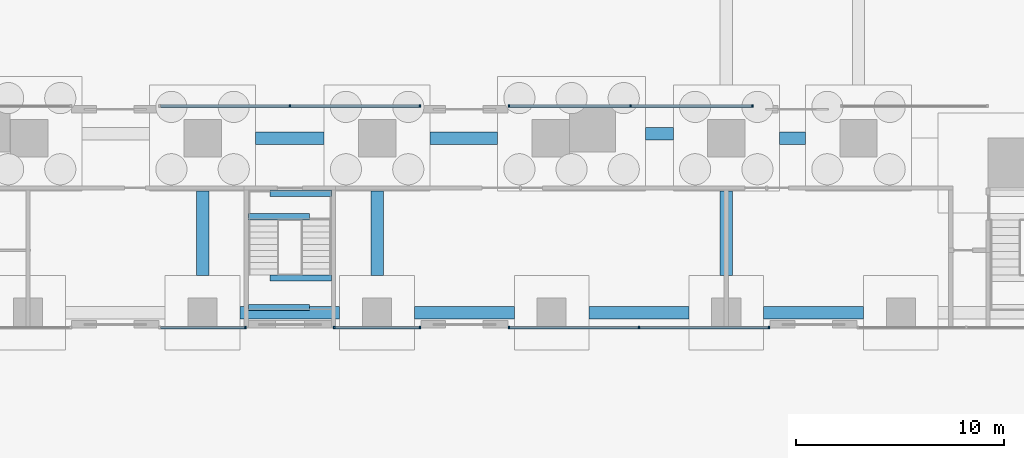
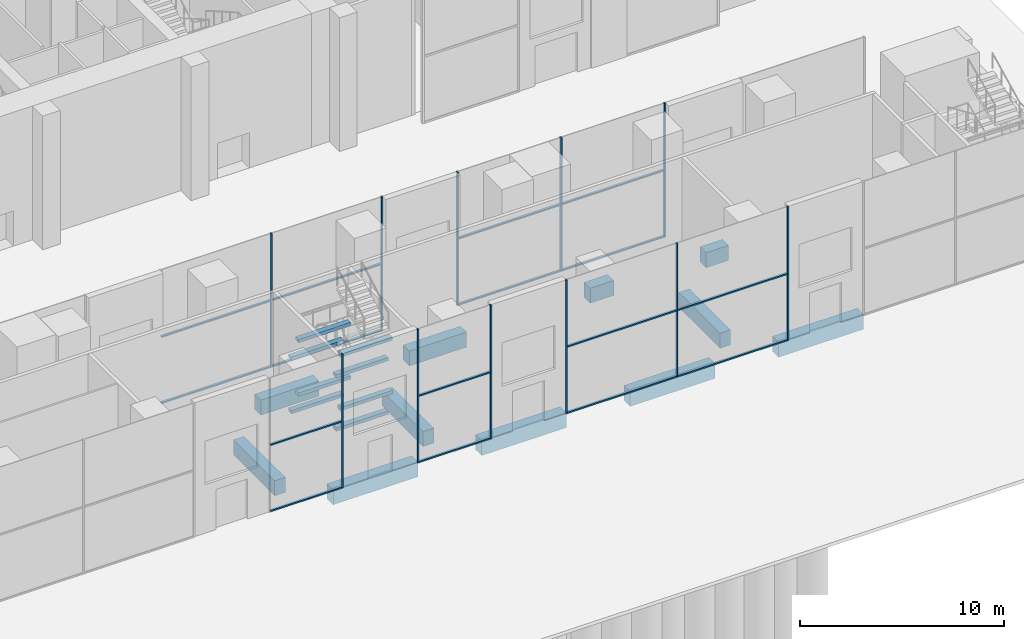
# One storey, part 6 of 31: 27 members, 19 beams, 5 elements without a shape of their own.
"""IFC4 building model written with IfcOpenShell, lengths in metres."""

from ifc_helpers import new_model, si_unit, direction, frame, origin, origin_2d, place, context, subcontext, project, spatial, rectangle, extrude, material, layer, layer_set, material_profile, profile_set, type_object, element, aggregate, save


model = new_model("IFC4")

# Units and contexts
model_context = context("Model", 3, precision=1e-05, world=origin(), true_north=direction((0.0, 1.0)))
body_context = subcontext(model_context, "Body", "Model", "MODEL_VIEW")
ifc_project = project(units=[si_unit("LENGTHUNIT", "METRE"), si_unit("AREAUNIT", "SQUARE_METRE"), si_unit("VOLUMEUNIT", "CUBIC_METRE"), si_unit("PLANEANGLEUNIT", "RADIAN"), si_unit("MASSUNIT", "GRAM", prefix="KILO")], contexts=[model_context])

# Site, building, storey
site_placement = place(None, origin())
site = spatial("IfcSite", under=ifc_project, at=site_placement, CompositionType="ELEMENT")
building_placement = place(site_placement, origin())
building = spatial("IfcBuilding", under=site, at=building_placement, Name="Marenta Gate Hotel Tower", CompositionType="ELEMENT")
storey_placement = place(building_placement, origin())
storey = spatial("IfcBuildingStorey", under=building, at=storey_placement, Name="L00", CompositionType="ELEMENT", Elevation=0.0)

# Beams
ifc_material_1 = material(Name="Concrete C40", Category="concrete")
ifc_material_profile_1 = material_profile(ifc_material_1, rectangle(XDim=0.60009765625, YDim=0.89990234375, at=origin_2d()), Name="600 x 900")
ifc_profile_set_1 = profile_set([ifc_material_profile_1], Name="Concrete C40")
beam_type_1 = type_object("IfcBeamType", Name="Ground beam 600 x 900 C40", PredefinedType="BEAM", material=ifc_profile_set_1)
beam_1_placement = place(storey_placement, frame((-2.39990234375, -25.199951171875, -0.75), z_axis=(1.0, 0.0, 0.0), x_axis=(0.0, 1.0, 0.0)))
element("IfcBeam", 1, at=beam_1_placement, inside=storey, type_object=beam_type_1, Name="L00-GB-41", PredefinedType="BEAM", context=body_context, shape_type="SweptSolid", body=[
    extrude(rectangle(XDim=0.60009765625, YDim=0.89990234375, at=origin_2d()), origin(), (0.0, 0.0, 1.0), 4.7998046875),
])
beam_2_placement = place(storey_placement, frame((-4.199951171875, -23.39990234375, -0.75), z_axis=(0.0, 1.0, 0.0), x_axis=(-1.0, 0.0, 0.0)))
element("IfcBeam", 2, at=beam_2_placement, inside=storey, type_object=beam_type_1, Name="L00-GB-42", PredefinedType="BEAM", context=body_context, shape_type="SweptSolid", body=[
    extrude(rectangle(XDim=0.60009765625, YDim=0.89990234375, at=origin_2d()), origin(), (0.0, 0.0, 1.0), 4.0498046875),
])
beam_3_placement = place(storey_placement, frame((-1.64990234375, -16.800048828125, -0.75), z_axis=(1.0, 0.0, 0.0), x_axis=(0.0, 1.0, 0.0)))
element("IfcBeam", 3, at=beam_3_placement, inside=storey, type_object=beam_type_1, Name="L00-GB-43", PredefinedType="BEAM", context=body_context, shape_type="SweptSolid", body=[
    extrude(rectangle(XDim=0.60009765625, YDim=0.89990234375, at=origin_2d()), origin(), (0.0, 0.0, 1.0), 3.2998046875),
])
beam_4_placement = place(storey_placement, frame((6.0, -25.199951171875, -0.75), z_axis=(1.0, 0.0, 0.0), x_axis=(0.0, 1.0, 0.0)))
element("IfcBeam", 4, at=beam_4_placement, inside=storey, type_object=beam_type_1, Name="L00-GB-49", PredefinedType="BEAM", context=body_context, shape_type="SweptSolid", body=[
    extrude(rectangle(XDim=0.60009765625, YDim=0.89990234375, at=origin_2d()), origin(), (0.0, 0.0, 1.0), 4.800048828125),
])
beam_5_placement = place(storey_placement, frame((4.199951171875, -23.39990234375, -0.75), z_axis=(0.0, 1.0, 0.0), x_axis=(-1.0, 0.0, 0.0)))
element("IfcBeam", 5, at=beam_5_placement, inside=storey, type_object=beam_type_1, Name="L00-GB-50", PredefinedType="BEAM", context=body_context, shape_type="SweptSolid", body=[
    extrude(rectangle(XDim=0.60009765625, YDim=0.89990234375, at=origin_2d()), origin(), (0.0, 0.0, 1.0), 4.0498046875),
])
beam_6_placement = place(storey_placement, frame((6.75, -16.800048828125, -0.75), z_axis=(1.0, 0.0, 0.0), x_axis=(0.0, 1.0, 0.0)))
element("IfcBeam", 6, at=beam_6_placement, inside=storey, type_object=beam_type_1, Name="L00-GB-51", PredefinedType="BEAM", context=body_context, shape_type="SweptSolid", body=[
    extrude(rectangle(XDim=0.60009765625, YDim=0.89990234375, at=origin_2d()), origin(), (0.0, 0.0, 1.0), 3.24609375),
])
beam_7_placement = place(storey_placement, frame((14.39990234375, -25.199951171875, -0.75), z_axis=(1.0, 0.0, 0.0), x_axis=(0.0, 1.0, 0.0)))
element("IfcBeam", 7, at=beam_7_placement, inside=storey, type_object=beam_type_1, Name="L00-GB-57", PredefinedType="BEAM", context=body_context, shape_type="SweptSolid", body=[
    extrude(rectangle(XDim=0.60009765625, YDim=0.89990234375, at=origin_2d()), origin(), (0.0, 0.0, 1.0), 4.800048828125),
])
beam_8_placement = place(storey_placement, frame((17.115966796875, -16.58740234375, -0.75), z_axis=(1.0, 0.0, 0.0), x_axis=(0.0, 1.0, 0.0)))
element("IfcBeam", 8, at=beam_8_placement, inside=storey, type_object=beam_type_1, Name="L00-GB-58", PredefinedType="BEAM", context=body_context, shape_type="SweptSolid", body=[
    extrude(rectangle(XDim=0.60009765625, YDim=0.89990234375, at=origin_2d()), origin(), (0.0, 0.0, 1.0), 1.333984375),
])
beam_9_placement = place(storey_placement, frame((22.800048828125, -25.199951171875, -0.75), z_axis=(1.0, 0.0, 0.0), x_axis=(0.0, 1.0, 0.0)))
element("IfcBeam", 9, at=beam_9_placement, inside=storey, type_object=beam_type_1, Name="L00-GB-64", PredefinedType="BEAM", context=body_context, shape_type="SweptSolid", body=[
    extrude(rectangle(XDim=0.60009765625, YDim=0.89990234375, at=origin_2d()), origin(), (0.0, 0.0, 1.0), 4.800048828125),
])
beam_10_placement = place(storey_placement, frame((21.0, -23.39990234375, -0.75), z_axis=(0.0, 1.0, 0.0), x_axis=(-1.0, 0.0, 0.0)))
element("IfcBeam", 10, at=beam_10_placement, inside=storey, type_object=beam_type_1, Name="L00-GB-65", PredefinedType="BEAM", context=body_context, shape_type="SweptSolid", body=[
    extrude(rectangle(XDim=0.60009765625, YDim=0.89990234375, at=origin_2d()), origin(), (0.0, 0.0, 1.0), 4.0498046875),
])
beam_11_placement = place(storey_placement, frame((23.550048828125, -16.800048828125, -0.75), z_axis=(1.0, 0.0, 0.0), x_axis=(0.0, 1.0, 0.0)))
element("IfcBeam", 11, at=beam_11_placement, inside=storey, type_object=beam_type_1, Name="L00-GB-66", PredefinedType="BEAM", context=body_context, shape_type="SweptSolid", body=[
    extrude(rectangle(XDim=0.60009765625, YDim=0.89990234375, at=origin_2d()), origin(), (0.0, 0.0, 1.0), 1.262939453125),
])

# Curtain wall, member
ifc_material_2 = material(Name="Tinted insulated glass in bronze anodised frame", Category="glass")
ifc_layer = layer(ifc_material_2, 0.1298828125)
ifc_layer_set = layer_set([ifc_layer], Name="Tinted insulated glass in bronze anodised frame")
curtain_wall_type = type_object("IfcCurtainWallType", Name="Podium shopfront glazing CW5", PredefinedType="NOTDEFINED", material=ifc_layer_set)
curtain_wall_1_placement = place(storey_placement, origin())
curtain_wall_1 = element("IfcCurtainWall", 12, at=curtain_wall_1_placement, inside=storey, type_object=curtain_wall_type, Name="CW5 run SB-S002", PredefinedType="NOTDEFINED")
ifc_material_3 = material(Name="Bronze anodised aluminium", Category="aluminium")
ifc_material_profile_2 = material_profile(ifc_material_3, rectangle(XDim=0.1298828125, YDim=0.080078125, at=origin_2d()), Name="Mullion CW5 80x130 bronze anodised aluminium")
ifc_profile_set_2 = profile_set([ifc_material_profile_2], Name="Bronze anodised aluminium")
member_type_1 = type_object("IfcMemberType", Name="Mullion CW5 80x130 bronze anodised aluminium", PredefinedType="MULLION", material=ifc_profile_set_2)
member_1_placement = place(storey_placement, frame((-2.139892578125, -25.9189453125, 0.0), z_axis=(0.0, 0.0, 1.0), x_axis=(0.0, 1.0, 0.0)))
member_1 = element("IfcMember", 13, at=member_1_placement, type_object=member_type_1, Name="CW5 mullion 2", PredefinedType="MULLION", context=body_context, shape_type="SweptSolid", body=[
    extrude(rectangle(XDim=0.1298828125, YDim=0.080078125, at=origin_2d()), origin(), (0.0, 0.0, 1.0), 8.0),
])

# Curtain wall, members
curtain_wall_2_placement = place(storey_placement, origin())
curtain_wall_2 = element("IfcCurtainWall", 14, at=curtain_wall_2_placement, inside=storey, type_object=curtain_wall_type, Name="CW5 run SB-S003", PredefinedType="NOTDEFINED")
member_2_placement = place(storey_placement, frame((2.139892578125, -25.9189453125, 0.0), z_axis=(0.0, 0.0, 1.0), x_axis=(0.0, 1.0, 0.0)))
member_2 = element("IfcMember", 15, at=member_2_placement, type_object=member_type_1, Name="CW5 mullion 1", PredefinedType="MULLION", context=body_context, shape_type="SweptSolid", body=[
    extrude(rectangle(XDim=0.1298828125, YDim=0.080078125, at=origin_2d()), origin(), (0.0, 0.0, 1.0), 8.0),
])
member_3_placement = place(storey_placement, frame((6.260009765625, -25.9189453125, 0.0), z_axis=(0.0, 0.0, 1.0), x_axis=(0.0, 1.0, 0.0)))
member_3 = element("IfcMember", 16, at=member_3_placement, type_object=member_type_1, Name="CW5 mullion 2", PredefinedType="MULLION", context=body_context, shape_type="SweptSolid", body=[
    extrude(rectangle(XDim=0.1298828125, YDim=0.080078125, at=origin_2d()), origin(), (0.0, 0.0, 1.0), 8.0),
])

curtain_wall_3_placement = place(storey_placement, origin())
curtain_wall_3 = element("IfcCurtainWall", 17, at=curtain_wall_3_placement, inside=storey, type_object=curtain_wall_type, Name="CW5 run SB-S004", PredefinedType="NOTDEFINED")
member_4_placement = place(storey_placement, frame((10.5400390625, -25.9189453125, 0.0), z_axis=(0.0, 0.0, 1.0), x_axis=(0.0, 1.0, 0.0)))
member_4 = element("IfcMember", 18, at=member_4_placement, type_object=member_type_1, Name="CW5 mullion 1", PredefinedType="MULLION", context=body_context, shape_type="SweptSolid", body=[
    extrude(rectangle(XDim=0.1298828125, YDim=0.080078125, at=origin_2d()), origin(), (0.0, 0.0, 1.0), 8.0),
])
member_5_placement = place(storey_placement, frame((16.800048828125, -25.9189453125, 0.0), z_axis=(0.0, 0.0, 1.0), x_axis=(0.0, 1.0, 0.0)))
member_5 = element("IfcMember", 19, at=member_5_placement, type_object=member_type_1, Name="CW5 mullion 2", PredefinedType="MULLION", context=body_context, shape_type="SweptSolid", body=[
    extrude(rectangle(XDim=0.1298828125, YDim=0.080078125, at=origin_2d()), origin(), (0.0, 0.0, 1.0), 8.0),
])
member_6_placement = place(storey_placement, frame((23.06005859375, -25.9189453125, 0.0), z_axis=(0.0, 0.0, 1.0), x_axis=(0.0, 1.0, 0.0)))
member_6 = element("IfcMember", 20, at=member_6_placement, type_object=member_type_1, Name="CW5 mullion 3", PredefinedType="MULLION", context=body_context, shape_type="SweptSolid", body=[
    extrude(rectangle(XDim=0.1298828125, YDim=0.080078125, at=origin_2d()), origin(), (0.0, 0.0, 1.0), 8.0),
])

curtain_wall_4_placement = place(storey_placement, origin())
curtain_wall_4 = element("IfcCurtainWall", 21, at=curtain_wall_4_placement, inside=storey, type_object=curtain_wall_type, Name="CW5 run SB-N001", PredefinedType="NOTDEFINED")
member_7_placement = place(storey_placement, frame((22.260009765625, -15.255859375, 0.0), z_axis=(0.0, 0.0, 1.0), x_axis=(0.0, -1.0, 0.0)))
member_7 = element("IfcMember", 22, at=member_7_placement, type_object=member_type_1, Name="CW5 mullion 1", PredefinedType="MULLION", context=body_context, shape_type="SweptSolid", body=[
    extrude(rectangle(XDim=0.1298828125, YDim=0.080078125, at=origin_2d()), origin(), (0.0, 0.0, 1.0), 8.0),
])
member_8_placement = place(storey_placement, frame((16.39990234375, -15.255859375, 0.0), z_axis=(0.0, 0.0, 1.0), x_axis=(0.0, -1.0, 0.0)))
member_8 = element("IfcMember", 23, at=member_8_placement, type_object=member_type_1, Name="CW5 mullion 2", PredefinedType="MULLION", context=body_context, shape_type="SweptSolid", body=[
    extrude(rectangle(XDim=0.1298828125, YDim=0.080078125, at=origin_2d()), origin(), (0.0, 0.0, 1.0), 8.0),
])
member_9_placement = place(storey_placement, frame((10.5400390625, -15.255859375, 0.0), z_axis=(0.0, 0.0, 1.0), x_axis=(0.0, -1.0, 0.0)))
member_9 = element("IfcMember", 24, at=member_9_placement, type_object=member_type_1, Name="CW5 mullion 3", PredefinedType="MULLION", context=body_context, shape_type="SweptSolid", body=[
    extrude(rectangle(XDim=0.1298828125, YDim=0.080078125, at=origin_2d()), origin(), (0.0, 0.0, 1.0), 8.0),
])

curtain_wall_5_placement = place(storey_placement, origin())
curtain_wall_5 = element("IfcCurtainWall", 25, at=curtain_wall_5_placement, inside=storey, type_object=curtain_wall_type, Name="CW5 run SB-N002", PredefinedType="NOTDEFINED")
member_10_placement = place(storey_placement, frame((6.260009765625, -15.255859375, 0.0), z_axis=(0.0, 0.0, 1.0), x_axis=(0.0, -1.0, 0.0)))
member_10 = element("IfcMember", 26, at=member_10_placement, type_object=member_type_1, Name="CW5 mullion 1", PredefinedType="MULLION", context=body_context, shape_type="SweptSolid", body=[
    extrude(rectangle(XDim=0.1298828125, YDim=0.080078125, at=origin_2d()), origin(), (0.0, 0.0, 1.0), 8.0),
])
member_11_placement = place(storey_placement, frame((0.0, -15.255859375, 0.0), z_axis=(0.0, 0.0, 1.0), x_axis=(0.0, -1.0, 0.0)))
member_11 = element("IfcMember", 27, at=member_11_placement, type_object=member_type_1, Name="CW5 mullion 2", PredefinedType="MULLION", context=body_context, shape_type="SweptSolid", body=[
    extrude(rectangle(XDim=0.1298828125, YDim=0.080078125, at=origin_2d()), origin(), (0.0, 0.0, 1.0), 8.0),
])

# Beams
ifc_material_4 = material(Name="Concrete C40", Category="concrete")
ifc_material_profile_3 = material_profile(ifc_material_4, rectangle(XDim=0.300048828125, YDim=0.199951171875, at=origin_2d()), Name="300 x 200")
ifc_profile_set_3 = profile_set([ifc_material_profile_3], Name="Concrete C40")
beam_type_2 = type_object("IfcBeamType", Name="Stair landing trimmer 300 x 200 C40", PredefinedType="BEAM", material=ifc_profile_set_3)
for number, where, z_axis, x_axis, name in (
    (28, (-2.0, -20.580078125, 1.300048828125), (1.0, 0.0, 0.0), (0.0, 1.0, 0.0), "L00-PX5-LT-1"),
    (29, (-0.949951171875, -19.449951171875, 1.300048828125), (1.0, 0.0, 0.0), (0.0, 1.0, 0.0), "L00-PX5-LT-2"),
    (30, (-2.0, -24.949951171875, 2.89990234375), (1.0, 0.0, 0.0), (0.0, 1.0, 0.0), "L00-PX5-LT-3"),
    (31, (-0.949951171875, -23.534912109375, 2.89990234375), (1.0, 0.0, 0.0), (0.0, 1.0, 0.0), "L00-PX5-LT-4"),
    (32, (-2.0, -20.580078125, 4.5), (1.0, 0.0, 0.0), (0.0, 1.0, 0.0), "L00-PX5-LT-5"),
    (33, (-0.949951171875, -19.449951171875, 4.5), (1.0, 0.0, 0.0), (0.0, 1.0, 0.0), "L00-PX5-LT-6"),
    (34, (-2.0, -24.949951171875, 6.10009765625), (1.0, 0.0, 0.0), (0.0, 1.0, 0.0), "L00-PX5-LT-7"),
    (35, (-0.949951171875, -23.534912109375, 6.10009765625), (1.0, 0.0, 0.0), (0.0, 1.0, 0.0), "L00-PX5-LT-8"),
):
    element("IfcBeam", number, at=place(storey_placement, frame(where, z_axis=z_axis, x_axis=x_axis)), inside=storey, type_object=beam_type_2, Name=name, PredefinedType="BEAM", context=body_context, shape_type="SweptSolid", body=[
        extrude(rectangle(XDim=0.300048828125, YDim=0.199951171875, at=origin_2d()), origin(), (0.0, 0.0, 1.0), 2.949951171875),
    ])

# Member
ifc_material_5 = material(Name="Bronze anodised aluminium", Category="aluminium")
ifc_material_profile_4 = material_profile(ifc_material_5, rectangle(XDim=0.1298828125, YDim=0.080078125, at=origin_2d()), Name="Transom CW5 80x130 bronze anodised aluminium")
ifc_profile_set_4 = profile_set([ifc_material_profile_4], Name="Bronze anodised aluminium")
member_type_2 = type_object("IfcMemberType", Name="Transom CW5 80x130 bronze anodised aluminium", PredefinedType="USERDEFINED", material=ifc_profile_set_4)
member_12_placement = place(storey_placement, frame((-6.219970703125, -25.9189453125, 0.0400390625), z_axis=(1.0, 0.0, 0.0), x_axis=(0.0, 1.0, 0.0)))
member_12 = element("IfcMember", 36, at=member_12_placement, type_object=member_type_2, Name="CW5 transom 1.1", ObjectType="TRANSOM", PredefinedType="USERDEFINED", context=body_context, shape_type="SweptSolid", body=[
    extrude(rectangle(XDim=0.1298828125, YDim=0.080078125, at=origin_2d()), origin(), (0.0, 0.0, 1.0), 4.0400390625),
])

member_13_placement = place(storey_placement, frame((-6.219970703125, -25.9189453125, 4.0), z_axis=(1.0, 0.0, 0.0), x_axis=(0.0, 1.0, 0.0)))
member_13 = element("IfcMember", 37, at=member_13_placement, type_object=member_type_2, Name="CW5 transom 1.2", ObjectType="TRANSOM", PredefinedType="USERDEFINED", context=body_context, shape_type="SweptSolid", body=[
    extrude(rectangle(XDim=0.1298828125, YDim=0.080078125, at=origin_2d()), origin(), (0.0, 0.0, 1.0), 4.0400390625),
])

aggregate(curtain_wall_1, [member_1, member_12, member_13])

member_14_placement = place(storey_placement, frame((2.179931640625, -25.9189453125, 0.0400390625), z_axis=(1.0, 0.0, 0.0), x_axis=(0.0, 1.0, 0.0)))
member_14 = element("IfcMember", 38, at=member_14_placement, type_object=member_type_2, Name="CW5 transom 1.1", ObjectType="TRANSOM", PredefinedType="USERDEFINED", context=body_context, shape_type="SweptSolid", body=[
    extrude(rectangle(XDim=0.1298828125, YDim=0.080078125, at=origin_2d()), origin(), (0.0, 0.0, 1.0), 4.0400390625),
])

member_15_placement = place(storey_placement, frame((2.179931640625, -25.9189453125, 4.0), z_axis=(1.0, 0.0, 0.0), x_axis=(0.0, 1.0, 0.0)))
member_15 = element("IfcMember", 39, at=member_15_placement, type_object=member_type_2, Name="CW5 transom 1.2", ObjectType="TRANSOM", PredefinedType="USERDEFINED", context=body_context, shape_type="SweptSolid", body=[
    extrude(rectangle(XDim=0.1298828125, YDim=0.080078125, at=origin_2d()), origin(), (0.0, 0.0, 1.0), 4.0400390625),
])

aggregate(curtain_wall_2, [member_2, member_3, member_14, member_15])

member_16_placement = place(storey_placement, frame((10.580078125, -25.9189453125, 0.0400390625), z_axis=(1.0, 0.0, 0.0), x_axis=(0.0, 1.0, 0.0)))
member_16 = element("IfcMember", 40, at=member_16_placement, type_object=member_type_2, Name="CW5 transom 1.1", ObjectType="TRANSOM", PredefinedType="USERDEFINED", context=body_context, shape_type="SweptSolid", body=[
    extrude(rectangle(XDim=0.1298828125, YDim=0.080078125, at=origin_2d()), origin(), (0.0, 0.0, 1.0), 6.179931640625),
])

member_17_placement = place(storey_placement, frame((10.580078125, -25.9189453125, 4.0), z_axis=(1.0, 0.0, 0.0), x_axis=(0.0, 1.0, 0.0)))
member_17 = element("IfcMember", 41, at=member_17_placement, type_object=member_type_2, Name="CW5 transom 1.2", ObjectType="TRANSOM", PredefinedType="USERDEFINED", context=body_context, shape_type="SweptSolid", body=[
    extrude(rectangle(XDim=0.1298828125, YDim=0.080078125, at=origin_2d()), origin(), (0.0, 0.0, 1.0), 6.179931640625),
])

member_18_placement = place(storey_placement, frame((16.840087890625, -25.9189453125, 0.0400390625), z_axis=(1.0, 0.0, 0.0), x_axis=(0.0, 1.0, 0.0)))
member_18 = element("IfcMember", 42, at=member_18_placement, type_object=member_type_2, Name="CW5 transom 2.1", ObjectType="TRANSOM", PredefinedType="USERDEFINED", context=body_context, shape_type="SweptSolid", body=[
    extrude(rectangle(XDim=0.1298828125, YDim=0.080078125, at=origin_2d()), origin(), (0.0, 0.0, 1.0), 6.179931640625),
])

member_19_placement = place(storey_placement, frame((16.840087890625, -25.9189453125, 4.0), z_axis=(1.0, 0.0, 0.0), x_axis=(0.0, 1.0, 0.0)))
member_19 = element("IfcMember", 43, at=member_19_placement, type_object=member_type_2, Name="CW5 transom 2.2", ObjectType="TRANSOM", PredefinedType="USERDEFINED", context=body_context, shape_type="SweptSolid", body=[
    extrude(rectangle(XDim=0.1298828125, YDim=0.080078125, at=origin_2d()), origin(), (0.0, 0.0, 1.0), 6.179931640625),
])

aggregate(curtain_wall_3, [member_4, member_5, member_6, member_16, member_17, member_18, member_19])

member_20_placement = place(storey_placement, frame((22.219970703125, -15.255859375, 0.0400390625), z_axis=(-1.0, 0.0, 0.0), x_axis=(0.0, -1.0, 0.0)))
member_20 = element("IfcMember", 44, at=member_20_placement, type_object=member_type_2, Name="CW5 transom 1.1", ObjectType="TRANSOM", PredefinedType="USERDEFINED", context=body_context, shape_type="SweptSolid", body=[
    extrude(rectangle(XDim=0.1298828125, YDim=0.080078125, at=origin_2d()), origin(), (0.0, 0.0, 1.0), 5.780029296875),
])

member_21_placement = place(storey_placement, frame((22.219970703125, -15.255859375, 4.0), z_axis=(-1.0, 0.0, 0.0), x_axis=(0.0, -1.0, 0.0)))
member_21 = element("IfcMember", 45, at=member_21_placement, type_object=member_type_2, Name="CW5 transom 1.2", ObjectType="TRANSOM", PredefinedType="USERDEFINED", context=body_context, shape_type="SweptSolid", body=[
    extrude(rectangle(XDim=0.1298828125, YDim=0.080078125, at=origin_2d()), origin(), (0.0, 0.0, 1.0), 5.780029296875),
])

member_22_placement = place(storey_placement, frame((16.360107421875, -15.255859375, 0.0400390625), z_axis=(-1.0, 0.0, 0.0), x_axis=(0.0, -1.0, 0.0)))
member_22 = element("IfcMember", 46, at=member_22_placement, type_object=member_type_2, Name="CW5 transom 2.1", ObjectType="TRANSOM", PredefinedType="USERDEFINED", context=body_context, shape_type="SweptSolid", body=[
    extrude(rectangle(XDim=0.1298828125, YDim=0.080078125, at=origin_2d()), origin(), (0.0, 0.0, 1.0), 5.780029296875),
])

member_23_placement = place(storey_placement, frame((16.360107421875, -15.255859375, 4.0), z_axis=(-1.0, 0.0, 0.0), x_axis=(0.0, -1.0, 0.0)))
member_23 = element("IfcMember", 47, at=member_23_placement, type_object=member_type_2, Name="CW5 transom 2.2", ObjectType="TRANSOM", PredefinedType="USERDEFINED", context=body_context, shape_type="SweptSolid", body=[
    extrude(rectangle(XDim=0.1298828125, YDim=0.080078125, at=origin_2d()), origin(), (0.0, 0.0, 1.0), 5.780029296875),
])

aggregate(curtain_wall_4, [member_7, member_8, member_9, member_20, member_21, member_22, member_23])

member_24_placement = place(storey_placement, frame((6.219970703125, -15.255859375, 0.0400390625), z_axis=(-1.0, 0.0, 0.0), x_axis=(0.0, -1.0, 0.0)))
member_24 = element("IfcMember", 48, at=member_24_placement, type_object=member_type_2, Name="CW5 transom 1.1", ObjectType="TRANSOM", PredefinedType="USERDEFINED", context=body_context, shape_type="SweptSolid", body=[
    extrude(rectangle(XDim=0.1298828125, YDim=0.080078125, at=origin_2d()), origin(), (0.0, 0.0, 1.0), 6.179931640625),
])

member_25_placement = place(storey_placement, frame((6.219970703125, -15.255859375, 4.0), z_axis=(-1.0, 0.0, 0.0), x_axis=(0.0, -1.0, 0.0)))
member_25 = element("IfcMember", 49, at=member_25_placement, type_object=member_type_2, Name="CW5 transom 1.2", ObjectType="TRANSOM", PredefinedType="USERDEFINED", context=body_context, shape_type="SweptSolid", body=[
    extrude(rectangle(XDim=0.1298828125, YDim=0.080078125, at=origin_2d()), origin(), (0.0, 0.0, 1.0), 6.179931640625),
])

member_26_placement = place(storey_placement, frame((-0.0400390625, -15.255859375, 0.0400390625), z_axis=(-1.0, 0.0, 0.0), x_axis=(0.0, -1.0, 0.0)))
member_26 = element("IfcMember", 50, at=member_26_placement, type_object=member_type_2, Name="CW5 transom 2.1", ObjectType="TRANSOM", PredefinedType="USERDEFINED", context=body_context, shape_type="SweptSolid", body=[
    extrude(rectangle(XDim=0.1298828125, YDim=0.080078125, at=origin_2d()), origin(), (0.0, 0.0, 1.0), 6.179931640625),
])

member_27_placement = place(storey_placement, frame((-0.0400390625, -15.255859375, 4.0), z_axis=(-1.0, 0.0, 0.0), x_axis=(0.0, -1.0, 0.0)))
member_27 = element("IfcMember", 51, at=member_27_placement, type_object=member_type_2, Name="CW5 transom 2.2", ObjectType="TRANSOM", PredefinedType="USERDEFINED", context=body_context, shape_type="SweptSolid", body=[
    extrude(rectangle(XDim=0.1298828125, YDim=0.080078125, at=origin_2d()), origin(), (0.0, 0.0, 1.0), 6.179931640625),
])

aggregate(curtain_wall_5, [member_10, member_11, member_24, member_25, member_26, member_27])

save(model, "model.ifc")
